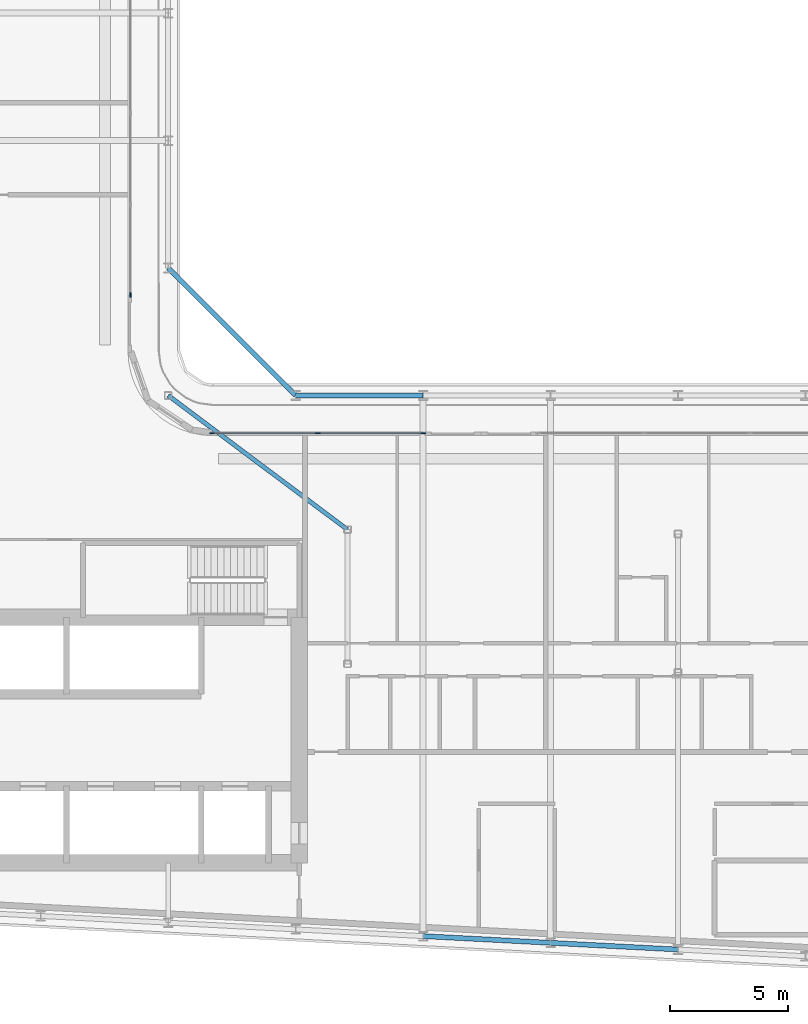
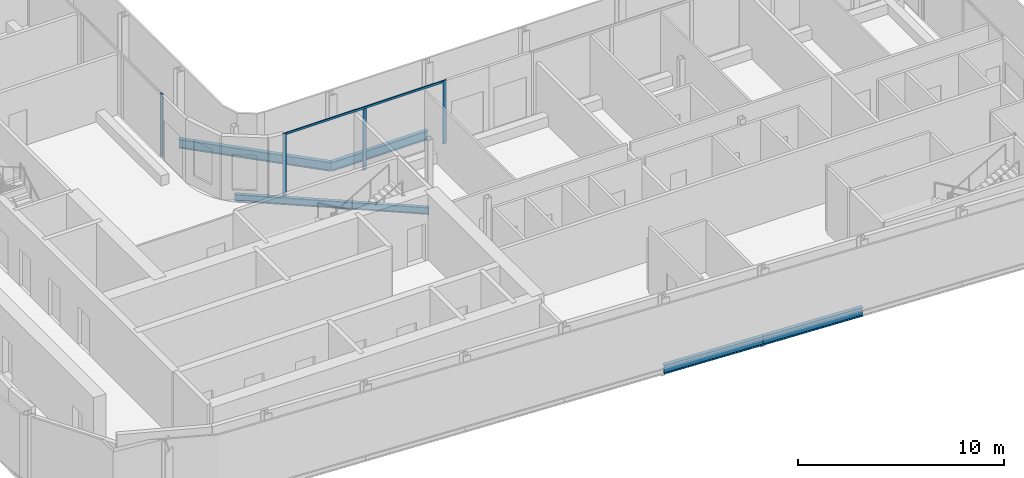
# One storey, part 4 of 22: 5 beams, 5 members, 2 elements without a shape of their own.
"""IFC4 building model written with IfcOpenShell, lengths in metres."""

from ifc_helpers import new_model, si_unit, direction, frame, origin, origin_2d, place, context, subcontext, project, spatial, rectangle, i_section, extrude, material, layer, layer_set, material_profile, profile_set, type_object, element, aggregate, save


model = new_model("IFC4")

# Units and contexts
model_context = context("Model", 3, precision=1e-05, world=origin(), true_north=direction((0.0, 1.0)))
body_context = subcontext(model_context, "Body", "Model", "MODEL_VIEW")
ifc_project = project(units=[si_unit("LENGTHUNIT", "METRE"), si_unit("AREAUNIT", "SQUARE_METRE"), si_unit("VOLUMEUNIT", "CUBIC_METRE"), si_unit("PLANEANGLEUNIT", "RADIAN"), si_unit("MASSUNIT", "GRAM", prefix="KILO")], contexts=[model_context])

# Site, building, storey
site_placement = place(None, origin())
site = spatial("IfcSite", under=ifc_project, at=site_placement, CompositionType="ELEMENT")
building_placement = place(site_placement, origin())
building = spatial("IfcBuilding", under=site, at=building_placement, Name="Kheshtan School and Residences Tower", CompositionType="ELEMENT")
storey_placement = place(building_placement, frame((0.0, 0.0, 251.300048828125)))
storey = spatial("IfcBuildingStorey", under=building, at=storey_placement, Name="L59", CompositionType="ELEMENT", Elevation=251.300048828125)

# Beams
ifc_material_1 = material(Name="Steel ASTM A992 Grade 50", Category="steel")
ifc_material_profile_1 = material_profile(ifc_material_1, i_section(OverallWidth=0.180908203125, OverallDepth=0.4169921875, WebThickness=0.010986328125, FlangeThickness=0.018310546875, FilletRadius=0.012451171875, at=origin_2d()), Name="W410x85")
ifc_profile_set_1 = profile_set([ifc_material_profile_1], Name="Steel ASTM A992 Grade 50")
beam_type_1 = type_object("IfcBeamType", Name="Beam FB3 W410x85 ASTM A992 Grade 50", PredefinedType="BEAM", material=ifc_profile_set_1)
beam_1_placement = place(storey_placement, frame((47.60009765625, 45.60009765625, -0.358642578125), z_axis=(0.800798828004, -0.598933416222, 0.0), x_axis=(0.598933416222, 0.800798828004, 0.0)))
element("IfcBeam", 1, at=beam_1_placement, inside=storey, type_object=beam_type_1, Name="Floor beam IC", PredefinedType="BEAM", context=body_context, shape_type="SweptSolid", body=[
    extrude(i_section(OverallWidth=0.180908203125, OverallDepth=0.4169921875, WebThickness=0.010986328125, FlangeThickness=0.018310546875, FilletRadius=0.012451171875, at=origin_2d()), origin(), (0.0, 0.0, 1.0), 9.490234375),
])
ifc_material_profile_2 = material_profile(ifc_material_1, i_section(OverallWidth=0.208984375, OverallDepth=0.532958984375, WebThickness=0.01025390625, FlangeThickness=0.015625, FilletRadius=0.013916015625, at=origin_2d()), Name="W530x92")
ifc_profile_set_2 = profile_set([ifc_material_profile_2], Name="Steel ASTM A992 Grade 50")
beam_type_2 = type_object("IfcBeamType", Name="Beam SP3 W530x92 ASTM A992 Grade 50", PredefinedType="BEAM", material=ifc_profile_set_2)
beam_2_placement = place(storey_placement, frame((47.60009765625, 51.0, -0.41650390625), z_axis=(0.707106781187, -0.707106781187, 0.0), x_axis=(0.707106781187, 0.707106781187, 0.0)))
element("IfcBeam", 2, at=beam_2_placement, inside=storey, type_object=beam_type_2, Name="Spandrel beam C079-C061", PredefinedType="BEAM", context=body_context, shape_type="SweptSolid", body=[
    extrude(i_section(OverallWidth=0.208984375, OverallDepth=0.532958984375, WebThickness=0.01025390625, FlangeThickness=0.015625, FilletRadius=0.013916015625, at=origin_2d()), origin(), (0.0, 0.0, 1.0), 7.63671875),
])
beam_3_placement = place(storey_placement, frame((53.0, 45.60009765625, -0.41650390625), z_axis=(1.0, 0.0, 0.0), x_axis=(0.0, 1.0, 0.0)))
element("IfcBeam", 3, at=beam_3_placement, inside=storey, type_object=beam_type_2, Name="Spandrel beam C061-C062", PredefinedType="BEAM", context=body_context, shape_type="SweptSolid", body=[
    extrude(i_section(OverallWidth=0.208984375, OverallDepth=0.532958984375, WebThickness=0.01025390625, FlangeThickness=0.015625, FilletRadius=0.013916015625, at=origin_2d()), origin(), (0.0, 0.0, 1.0), 5.39990234375),
])
beam_4_placement = place(storey_placement, frame((69.199951171875, 22.126953125, -0.41650390625), z_axis=(-0.998620447272, 0.05250906864, 0.0), x_axis=(-0.05250906864, -0.998620447272, 0.0)))
element("IfcBeam", 4, at=beam_4_placement, inside=storey, type_object=beam_type_2, Name="Spandrel beam C014-C016", PredefinedType="BEAM", context=body_context, shape_type="SweptSolid", body=[
    extrude(i_section(OverallWidth=0.208984375, OverallDepth=0.532958984375, WebThickness=0.01025390625, FlangeThickness=0.015625, FilletRadius=0.013916015625, at=origin_2d()), origin(), (0.0, 0.0, 1.0), 5.407470703125),
])
beam_5_placement = place(storey_placement, frame((63.800048828125, 22.410888671875, -0.41650390625), z_axis=(-0.998618203458, 0.052551724256, 0.0), x_axis=(-0.052551724256, -0.998618203458, 0.0)))
element("IfcBeam", 5, at=beam_5_placement, inside=storey, type_object=beam_type_2, Name="Spandrel beam C016-C018", PredefinedType="BEAM", context=body_context, shape_type="SweptSolid", body=[
    extrude(i_section(OverallWidth=0.208984375, OverallDepth=0.532958984375, WebThickness=0.01025390625, FlangeThickness=0.015625, FilletRadius=0.013916015625, at=origin_2d()), origin(), (0.0, 0.0, 1.0), 5.40771484375),
])

# Curtain wall, member
ifc_material_2 = material(Name="Clear low-e glass in thermally broken aluminium frame", Category="aluminium")
ifc_layer = layer(ifc_material_2, 0.199951171875)
ifc_layer_set = layer_set([ifc_layer], Name="Curtain wall CW-L")
curtain_wall_type = type_object("IfcCurtainWallType", Name="Curtain wall CW-L", PredefinedType="NOTDEFINED", material=ifc_layer_set)
curtain_wall_1_placement = place(storey_placement, origin())
curtain_wall_1 = element("IfcCurtainWall", 6, at=curtain_wall_1_placement, inside=storey, type_object=curtain_wall_type, Name="Curtain wall CWL8", PredefinedType="NOTDEFINED")
ifc_material_3 = material(Name="Thermally broken aluminium, dark bronze anodised", Category="aluminium")
ifc_material_profile_3 = material_profile(ifc_material_3, rectangle(XDim=0.06005859375, YDim=0.199951171875, at=origin_2d()), Name="CW-L mullion 60x200")
ifc_profile_set_3 = profile_set([ifc_material_profile_3], Name="Thermally broken aluminium, dark bronze anodised")
member_type_1 = type_object("IfcMemberType", Name="CW-L mullion 60x200", PredefinedType="MULLION", material=ifc_profile_set_3)
member_1_placement = place(storey_placement, frame((46.0, 49.860107421875, 0.0), z_axis=(0.0, 0.0, 1.0), x_axis=(1.0, 0.0, 0.0)))
member_1 = element("IfcMember", 7, at=member_1_placement, type_object=member_type_1, Name="CWL8 mullion 3", PredefinedType="MULLION", context=body_context, shape_type="SweptSolid", body=[
    extrude(rectangle(XDim=0.06005859375, YDim=0.199951171875, at=origin_2d()), origin(), (0.0, 0.0, 1.0), 3.75),
])
aggregate(curtain_wall_1, [member_1])

# Curtain wall, members
curtain_wall_2_placement = place(storey_placement, origin())
curtain_wall_2 = element("IfcCurtainWall", 8, at=curtain_wall_2_placement, inside=storey, type_object=curtain_wall_type, Name="Curtain wall CWL1231", PredefinedType="NOTDEFINED")
member_2_placement = place(storey_placement, frame((49.4599609375, 44.0, 0.0), z_axis=(0.0, 0.0, 1.0), x_axis=(0.0, 1.0, 0.0)))
member_2 = element("IfcMember", 9, at=member_2_placement, type_object=member_type_1, Name="CWL1231 mullion 1", PredefinedType="MULLION", context=body_context, shape_type="SweptSolid", body=[
    extrude(rectangle(XDim=0.06005859375, YDim=0.199951171875, at=origin_2d()), origin(), (0.0, 0.0, 1.0), 3.75),
])
member_3_placement = place(storey_placement, frame((53.941650390625, 44.0, 0.0), z_axis=(0.0, 0.0, 1.0), x_axis=(0.0, 1.0, 0.0)))
member_3 = element("IfcMember", 10, at=member_3_placement, type_object=member_type_1, Name="CWL1231 mullion 2", PredefinedType="MULLION", context=body_context, shape_type="SweptSolid", body=[
    extrude(rectangle(XDim=0.06005859375, YDim=0.199951171875, at=origin_2d()), origin(), (0.0, 0.0, 1.0), 3.6298828125),
])
member_4_placement = place(storey_placement, frame((58.42333984375, 44.0, 0.0), z_axis=(0.0, 0.0, 1.0), x_axis=(0.0, 1.0, 0.0)))
member_4 = element("IfcMember", 11, at=member_4_placement, type_object=member_type_1, Name="CWL1231 mullion 3", PredefinedType="MULLION", context=body_context, shape_type="SweptSolid", body=[
    extrude(rectangle(XDim=0.06005859375, YDim=0.199951171875, at=origin_2d()), origin(), (0.0, 0.0, 1.0), 3.75),
])
ifc_material_profile_4 = material_profile(ifc_material_3, rectangle(XDim=0.06005859375, YDim=0.1201171875, at=origin_2d()), Name="CW-L transom 60x120")
ifc_profile_set_4 = profile_set([ifc_material_profile_4], Name="Thermally broken aluminium, dark bronze anodised")
member_type_2 = type_object("IfcMemberType", Name="CW-L transom 60x120", PredefinedType="USERDEFINED", material=ifc_profile_set_4)
member_5_placement = place(storey_placement, frame((49.489990234375, 44.0, 3.68994140625), z_axis=(1.0, 0.0, 0.0), x_axis=(0.0, 1.0, 0.0)))
member_5 = element("IfcMember", 12, at=member_5_placement, type_object=member_type_2, Name="CWL1231 transom 1", ObjectType="TRANSOM", PredefinedType="USERDEFINED", context=body_context, shape_type="SweptSolid", body=[
    extrude(rectangle(XDim=0.06005859375, YDim=0.1201171875, at=origin_2d()), origin(), (0.0, 0.0, 1.0), 8.9033203125),
])
aggregate(curtain_wall_2, [member_2, member_3, member_4, member_5])

save(model, "model.ifc")
